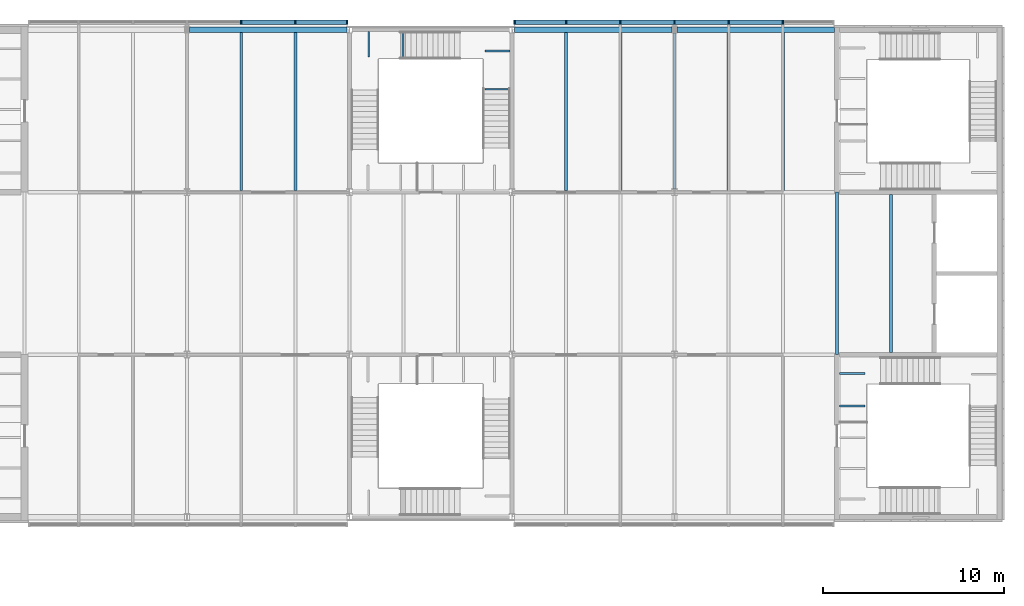
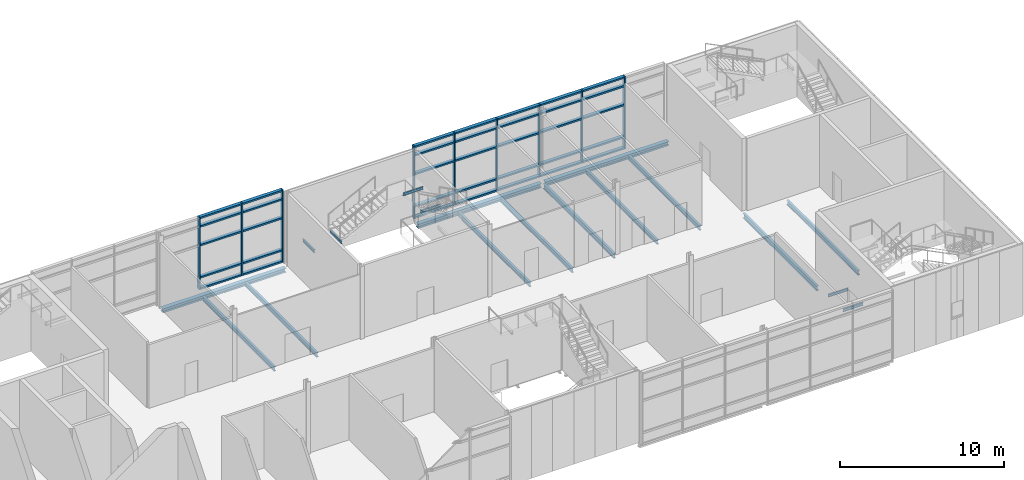
# One storey, part 23 of 52: 44 members, 18 beams, 2 elements without a shape of their own.
"""IFC4 building model written with IfcOpenShell, lengths in metres."""

from ifc_helpers import new_model, si_unit, direction, frame, origin, origin_2d, place, context, subcontext, project, spatial, rectangle, i_section, extrude, material, material_profile, profile_set, type_object, element, aggregate, save


model = new_model("IFC4")

# Units and contexts
model_context = context("Model", 3, precision=1e-05, world=origin(), true_north=direction((0.0, 1.0)))
body_context = subcontext(model_context, "Body", "Model", "MODEL_VIEW")
ifc_project = project(units=[si_unit("LENGTHUNIT", "METRE"), si_unit("AREAUNIT", "SQUARE_METRE"), si_unit("VOLUMEUNIT", "CUBIC_METRE"), si_unit("PLANEANGLEUNIT", "RADIAN"), si_unit("MASSUNIT", "GRAM", prefix="KILO")], contexts=[model_context])

# Site, building, storey
site_placement = place(None, origin())
site = spatial("IfcSite", under=ifc_project, at=site_placement, CompositionType="ELEMENT")
building_placement = place(site_placement, origin())
building = spatial("IfcBuilding", under=site, at=building_placement, Name="Azimuth Sports and Learning Centre", CompositionType="ELEMENT")
storey_placement = place(building_placement, frame((0.0, 0.0, 16.199951171875)))
storey = spatial("IfcBuildingStorey", under=building, at=storey_placement, Name="L03", CompositionType="ELEMENT", Elevation=16.199951171875)

# Beams
ifc_material_1 = material(Name="Steel S355", Category="steel")
ifc_material_profile_1 = material_profile(ifc_material_1, i_section(OverallWidth=0.10009765625, OverallDepth=0.199951171875, WebThickness=0.005615234375, FlangeThickness=0.008544921875, FilletRadius=0.011962890625, at=origin_2d()), Name="IPE 200")
ifc_profile_set_1 = profile_set([ifc_material_profile_1], Name="Steel S355")
beam_type_1 = type_object("IfcBeamType", Name="Beam IPE 200", PredefinedType="BEAM", material=ifc_profile_set_1)
for number, where, z_axis, x_axis, name in (
    (1, (162.14990234375, 96.15380859375, -0.300048828125), (1.0, 0.0, 0.0), (0.0, 1.0, 0.0), "Landing bracket EW1 L03 806"),
    (2, (162.14990234375, 97.961181640625, -0.300048828125), (1.0, 0.0, 0.0), (0.0, 1.0, 0.0), "Landing bracket EW1 L03 807"),
):
    element("IfcBeam", number, at=place(storey_placement, frame(where, z_axis=z_axis, x_axis=x_axis)), inside=storey, type_object=beam_type_1, Name=name, PredefinedType="BEAM", context=body_context, shape_type="SweptSolid", body=[
        extrude(i_section(OverallWidth=0.10009765625, OverallDepth=0.199951171875, WebThickness=0.005615234375, FlangeThickness=0.008544921875, FilletRadius=0.011962890625, at=origin_2d()), origin(), (0.0, 0.0, 1.0), 1.41015625),
    ])
for number, where, z_axis, x_axis, name in (
    (3, (136.06005859375, 116.89990234375, 1.5), (0.0, -1.0, 0.0), (1.0, 0.0, 0.0), "Landing bracket EM2 L03 978"),
    (4, (137.9599609375, 116.89990234375, 1.5), (0.0, -1.0, 0.0), (1.0, 0.0, 0.0), "Landing bracket EM2 L03 979"),
    (5, (143.89990234375, 113.702392578125, 3.300048828125), (-1.0, 0.0, 0.0), (0.0, -1.0, 0.0), "Landing bracket EM2 L03 980"),
    (6, (143.89990234375, 115.827392578125, 3.300048828125), (-1.0, 0.0, 0.0), (0.0, -1.0, 0.0), "Landing bracket EM2 L03 981"),
):
    element("IfcBeam", number, at=place(storey_placement, frame(where, z_axis=z_axis, x_axis=x_axis)), inside=storey, type_object=beam_type_1, Name=name, PredefinedType="BEAM", context=body_context, shape_type="SweptSolid", body=[
        extrude(i_section(OverallWidth=0.10009765625, OverallDepth=0.199951171875, WebThickness=0.005615234375, FlangeThickness=0.008544921875, FilletRadius=0.011962890625, at=origin_2d()), origin(), (0.0, 0.0, 1.0), 1.409912109375),
    ])
ifc_material_2 = material(Name="Steel S355", Category="steel")
ifc_material_profile_2 = material_profile(ifc_material_2, i_section(OverallWidth=0.169921875, OverallDepth=0.360107421875, WebThickness=0.008056640625, FlangeThickness=0.0126953125, FilletRadius=0.01806640625, at=origin_2d()), Name="IPE 360")
ifc_profile_set_2 = profile_set([ifc_material_profile_2], Name="Steel S355")
beam_type_2 = type_object("IfcBeamType", Name="Beam IPE 360", PredefinedType="BEAM", material=ifc_profile_set_2)
beam_1_placement = place(storey_placement, frame((153.0, 108.179931640625, -0.329833984375), z_axis=(0.0, 1.0, 0.0), x_axis=(-1.0, 0.0, 0.0)))
element("IfcBeam", 7, at=beam_1_placement, inside=storey, type_object=beam_type_2, Name="Beam L03 WE 25", PredefinedType="BEAM", context=body_context, shape_type="SweptSolid", body=[
    extrude(i_section(OverallWidth=0.169921875, OverallDepth=0.360107421875, WebThickness=0.008056640625, FlangeThickness=0.0126953125, FilletRadius=0.01806640625, at=origin_2d()), origin(), (0.0, 0.0, 1.0), 8.64013671875),
])
beam_2_placement = place(storey_placement, frame((162.0, 99.0, -0.329833984375), z_axis=(0.0, 1.0, 0.0), x_axis=(-1.0, 0.0, 0.0)))
element("IfcBeam", 8, at=beam_2_placement, inside=storey, type_object=beam_type_2, Name="Beam L03 WE 26", PredefinedType="BEAM", context=body_context, shape_type="SweptSolid", body=[
    extrude(i_section(OverallWidth=0.169921875, OverallDepth=0.360107421875, WebThickness=0.008056640625, FlangeThickness=0.0126953125, FilletRadius=0.01806640625, at=origin_2d()), origin(), (0.0, 0.0, 1.0), 9.0),
])
ifc_material_3 = material(Name="Steel S355", Category="steel")
ifc_material_profile_3 = material_profile(ifc_material_3, i_section(OverallWidth=0.300048828125, OverallDepth=0.31005859375, WebThickness=0.009033203125, FlangeThickness=0.015380859375, FilletRadius=0.027099609375, at=origin_2d()), Name="HEA 320")
ifc_profile_set_3 = profile_set([ifc_material_profile_3], Name="Steel S355")
beam_type_3 = type_object("IfcBeamType", Name="Edge beam HEA 320", PredefinedType="SPANDREL", material=ifc_profile_set_3)
for number, where, z_axis, x_axis, name in (
    (9, (126.14990234375, 117.0, -0.304931640625), (1.0, 0.0, 0.0), (0.0, 1.0, 0.0), "Edge beam L03 WE 14"),
    (10, (144.14990234375, 117.0, -0.304931640625), (1.0, 0.0, 0.0), (0.0, 1.0, 0.0), "Edge beam L03 WE 15"),
    (11, (153.14990234375, 117.0, -0.304931640625), (1.0, 0.0, 0.0), (0.0, 1.0, 0.0), "Edge beam L03 WE 16"),
):
    element("IfcBeam", number, at=place(storey_placement, frame(where, z_axis=z_axis, x_axis=x_axis)), inside=storey, type_object=beam_type_3, Name=name, PredefinedType="SPANDREL", context=body_context, shape_type="SweptSolid", body=[
        extrude(i_section(OverallWidth=0.300048828125, OverallDepth=0.31005859375, WebThickness=0.009033203125, FlangeThickness=0.015380859375, FilletRadius=0.027099609375, at=origin_2d()), origin(), (0.0, 0.0, 1.0), 8.7001953125),
    ])
ifc_material_4 = material(Name="Steel S355", Category="steel")
ifc_material_profile_4 = material_profile(ifc_material_4, i_section(OverallWidth=0.159912109375, OverallDepth=0.330078125, WebThickness=0.007568359375, FlangeThickness=0.011474609375, FilletRadius=0.01806640625, at=origin_2d()), Name="IPE 330")
ifc_profile_set_4 = profile_set([ifc_material_profile_4], Name="Steel S355")
beam_type_4 = type_object("IfcBeamType", Name="Joist IPE 330", PredefinedType="JOIST", material=ifc_profile_set_4)
for number, where, z_axis, x_axis, name in (
    (12, (129.0, 108.10009765625, -0.31494140625), (0.0, 1.0, 0.0), (-1.0, 0.0, 0.0), "Joist L03 WE 35"),
    (13, (132.0, 108.10009765625, -0.31494140625), (0.0, 1.0, 0.0), (-1.0, 0.0, 0.0), "Joist L03 WE 38"),
    (14, (147.0, 108.10009765625, -0.31494140625), (0.0, 1.0, 0.0), (-1.0, 0.0, 0.0), "Joist L03 WE 43"),
    (15, (150.0, 108.10009765625, -0.31494140625), (0.0, 1.0, 0.0), (-1.0, 0.0, 0.0), "Joist L03 WE 46"),
    (16, (156.0, 108.10009765625, -0.31494140625), (0.0, 1.0, 0.0), (-1.0, 0.0, 0.0), "Joist L03 WE 49"),
    (17, (159.0, 108.10009765625, -0.31494140625), (0.0, 1.0, 0.0), (-1.0, 0.0, 0.0), "Joist L03 WE 52"),
    (18, (165.0, 99.125, -0.31494140625), (0.0, 1.0, 0.0), (-1.0, 0.0, 0.0), "Joist L03 WE 53"),
):
    element("IfcBeam", number, at=place(storey_placement, frame(where, z_axis=z_axis, x_axis=x_axis)), inside=storey, type_object=beam_type_4, Name=name, PredefinedType="JOIST", context=body_context, shape_type="SweptSolid", body=[
        extrude(i_section(OverallWidth=0.159912109375, OverallDepth=0.330078125, WebThickness=0.007568359375, FlangeThickness=0.011474609375, FilletRadius=0.01806640625, at=origin_2d()), origin(), (0.0, 0.0, 1.0), 8.75),
    ])

# Curtain wall, members
ifc_material_5 = material(Name="Aluminium and glass", Category="aluminium")
curtain_wall_type = type_object("IfcCurtainWallType", Name="Curtain wall podium wing 240", PredefinedType="NOTDEFINED", material=ifc_material_5)
curtain_wall_1_placement = place(storey_placement, origin())
curtain_wall_1 = element("IfcCurtainWall", 19, at=curtain_wall_1_placement, inside=storey, type_object=curtain_wall_type, Name="Curtain wall CW03-011", PredefinedType="NOTDEFINED")
ifc_material_6 = material(Name="Aluminium", Category="aluminium")
ifc_material_profile_5 = material_profile(ifc_material_6, rectangle(XDim=0.239990234375, YDim=0.080078125, at=origin_2d()), Name="Mullion 80x240")
ifc_profile_set_5 = profile_set([ifc_material_profile_5], Name="Aluminium")
member_type_1 = type_object("IfcMemberType", Name="Mullion 80x240", PredefinedType="MULLION", material=ifc_profile_set_5)
member_1_placement = place(storey_placement, frame((159.0, 117.419921875, 0.0), z_axis=(0.0, 0.0, 1.0), x_axis=(0.0, -1.0, 0.0)))
member_1 = element("IfcMember", 20, at=member_1_placement, type_object=member_type_1, Name="CW03-011 mullion 2", PredefinedType="MULLION", context=body_context, shape_type="SweptSolid", body=[
    extrude(rectangle(XDim=0.239990234375, YDim=0.080078125, at=origin_2d()), origin(), (0.0, 0.0, 1.0), 5.400146484375),
])
member_2_placement = place(storey_placement, frame((156.0, 117.419921875, 0.0), z_axis=(0.0, 0.0, 1.0), x_axis=(0.0, -1.0, 0.0)))
member_2 = element("IfcMember", 21, at=member_2_placement, type_object=member_type_1, Name="CW03-011 mullion 3", PredefinedType="MULLION", context=body_context, shape_type="SweptSolid", body=[
    extrude(rectangle(XDim=0.239990234375, YDim=0.080078125, at=origin_2d()), origin(), (0.0, 0.0, 1.0), 5.400146484375),
])
member_3_placement = place(storey_placement, frame((153.0, 117.419921875, 0.0), z_axis=(0.0, 0.0, 1.0), x_axis=(0.0, -1.0, 0.0)))
member_3 = element("IfcMember", 22, at=member_3_placement, type_object=member_type_1, Name="CW03-011 mullion 4", PredefinedType="MULLION", context=body_context, shape_type="SweptSolid", body=[
    extrude(rectangle(XDim=0.239990234375, YDim=0.080078125, at=origin_2d()), origin(), (0.0, 0.0, 1.0), 5.400146484375),
])
member_4_placement = place(storey_placement, frame((150.0, 117.419921875, 0.0), z_axis=(0.0, 0.0, 1.0), x_axis=(0.0, -1.0, 0.0)))
member_4 = element("IfcMember", 23, at=member_4_placement, type_object=member_type_1, Name="CW03-011 mullion 5", PredefinedType="MULLION", context=body_context, shape_type="SweptSolid", body=[
    extrude(rectangle(XDim=0.239990234375, YDim=0.080078125, at=origin_2d()), origin(), (0.0, 0.0, 1.0), 5.400146484375),
])
member_5_placement = place(storey_placement, frame((147.0, 117.419921875, 0.0), z_axis=(0.0, 0.0, 1.0), x_axis=(0.0, -1.0, 0.0)))
member_5 = element("IfcMember", 24, at=member_5_placement, type_object=member_type_1, Name="CW03-011 mullion 6", PredefinedType="MULLION", context=body_context, shape_type="SweptSolid", body=[
    extrude(rectangle(XDim=0.239990234375, YDim=0.080078125, at=origin_2d()), origin(), (0.0, 0.0, 1.0), 5.400146484375),
])
member_6_placement = place(storey_placement, frame((144.139892578125, 117.419921875, 0.0), z_axis=(0.0, 0.0, 1.0), x_axis=(0.0, -1.0, 0.0)))
member_6 = element("IfcMember", 25, at=member_6_placement, type_object=member_type_1, Name="CW03-011 mullion 7", PredefinedType="MULLION", context=body_context, shape_type="SweptSolid", body=[
    extrude(rectangle(XDim=0.239990234375, YDim=0.080078125, at=origin_2d()), origin(), (0.0, 0.0, 1.0), 5.400146484375),
])

curtain_wall_2_placement = place(storey_placement, origin())
curtain_wall_2 = element("IfcCurtainWall", 26, at=curtain_wall_2_placement, inside=storey, type_object=curtain_wall_type, Name="Curtain wall CW03-012", PredefinedType="NOTDEFINED")
member_7_placement = place(storey_placement, frame((134.860107421875, 117.419921875, 0.0), z_axis=(0.0, 0.0, 1.0), x_axis=(0.0, -1.0, 0.0)))
member_7 = element("IfcMember", 27, at=member_7_placement, type_object=member_type_1, Name="CW03-012 mullion 1", PredefinedType="MULLION", context=body_context, shape_type="SweptSolid", body=[
    extrude(rectangle(XDim=0.239990234375, YDim=0.080078125, at=origin_2d()), origin(), (0.0, 0.0, 1.0), 5.400146484375),
])
member_8_placement = place(storey_placement, frame((132.0, 117.419921875, 0.0), z_axis=(0.0, 0.0, 1.0), x_axis=(0.0, -1.0, 0.0)))
member_8 = element("IfcMember", 28, at=member_8_placement, type_object=member_type_1, Name="CW03-012 mullion 2", PredefinedType="MULLION", context=body_context, shape_type="SweptSolid", body=[
    extrude(rectangle(XDim=0.239990234375, YDim=0.080078125, at=origin_2d()), origin(), (0.0, 0.0, 1.0), 5.400146484375),
])
member_9_placement = place(storey_placement, frame((129.0, 117.419921875, 0.0), z_axis=(0.0, 0.0, 1.0), x_axis=(0.0, -1.0, 0.0)))
member_9 = element("IfcMember", 29, at=member_9_placement, type_object=member_type_1, Name="CW03-012 mullion 3", PredefinedType="MULLION", context=body_context, shape_type="SweptSolid", body=[
    extrude(rectangle(XDim=0.239990234375, YDim=0.080078125, at=origin_2d()), origin(), (0.0, 0.0, 1.0), 5.400146484375),
])

# Member
ifc_material_7 = material(Name="Aluminium", Category="aluminium")
ifc_material_profile_6 = material_profile(ifc_material_7, rectangle(XDim=0.239990234375, YDim=0.1201171875, at=origin_2d()), Name="Transom 120x240")
ifc_profile_set_6 = profile_set([ifc_material_profile_6], Name="Aluminium")
member_type_2 = type_object("IfcMemberType", Name="Transom 120x240", PredefinedType="USERDEFINED", material=ifc_profile_set_6)
member_10_placement = place(storey_placement, frame((158.9599609375, 117.419921875, 0.06005859375), z_axis=(-1.0, 0.0, 0.0), x_axis=(0.0, -1.0, 0.0)))
member_10 = element("IfcMember", 30, at=member_10_placement, type_object=member_type_2, Name="CW03-011 transom 2.1", ObjectType="TRANSOM", PredefinedType="USERDEFINED", context=body_context, shape_type="SweptSolid", body=[
    extrude(rectangle(XDim=0.239990234375, YDim=0.1201171875, at=origin_2d()), origin(), (0.0, 0.0, 1.0), 2.919921875),
])

member_11_placement = place(storey_placement, frame((158.9599609375, 117.419921875, 0.900146484375), z_axis=(-1.0, 0.0, 0.0), x_axis=(0.0, -1.0, 0.0)))
member_11 = element("IfcMember", 31, at=member_11_placement, type_object=member_type_2, Name="CW03-011 transom 2.2", ObjectType="TRANSOM", PredefinedType="USERDEFINED", context=body_context, shape_type="SweptSolid", body=[
    extrude(rectangle(XDim=0.239990234375, YDim=0.1201171875, at=origin_2d()), origin(), (0.0, 0.0, 1.0), 2.919921875),
])

member_12_placement = place(storey_placement, frame((158.9599609375, 117.419921875, 3.300048828125), z_axis=(-1.0, 0.0, 0.0), x_axis=(0.0, -1.0, 0.0)))
member_12 = element("IfcMember", 32, at=member_12_placement, type_object=member_type_2, Name="CW03-011 transom 2.3", ObjectType="TRANSOM", PredefinedType="USERDEFINED", context=body_context, shape_type="SweptSolid", body=[
    extrude(rectangle(XDim=0.239990234375, YDim=0.1201171875, at=origin_2d()), origin(), (0.0, 0.0, 1.0), 2.919921875),
])

member_13_placement = place(storey_placement, frame((158.9599609375, 117.419921875, 4.699951171875), z_axis=(-1.0, 0.0, 0.0), x_axis=(0.0, -1.0, 0.0)))
member_13 = element("IfcMember", 33, at=member_13_placement, type_object=member_type_2, Name="CW03-011 transom 2.4", ObjectType="TRANSOM", PredefinedType="USERDEFINED", context=body_context, shape_type="SweptSolid", body=[
    extrude(rectangle(XDim=0.239990234375, YDim=0.1201171875, at=origin_2d()), origin(), (0.0, 0.0, 1.0), 2.919921875),
])

member_14_placement = place(storey_placement, frame((158.9599609375, 117.419921875, 5.340087890625), z_axis=(-1.0, 0.0, 0.0), x_axis=(0.0, -1.0, 0.0)))
member_14 = element("IfcMember", 34, at=member_14_placement, type_object=member_type_2, Name="CW03-011 transom 2.5", ObjectType="TRANSOM", PredefinedType="USERDEFINED", context=body_context, shape_type="SweptSolid", body=[
    extrude(rectangle(XDim=0.239990234375, YDim=0.1201171875, at=origin_2d()), origin(), (0.0, 0.0, 1.0), 2.919921875),
])

member_15_placement = place(storey_placement, frame((155.9599609375, 117.419921875, 0.06005859375), z_axis=(-1.0, 0.0, 0.0), x_axis=(0.0, -1.0, 0.0)))
member_15 = element("IfcMember", 35, at=member_15_placement, type_object=member_type_2, Name="CW03-011 transom 3.1", ObjectType="TRANSOM", PredefinedType="USERDEFINED", context=body_context, shape_type="SweptSolid", body=[
    extrude(rectangle(XDim=0.239990234375, YDim=0.1201171875, at=origin_2d()), origin(), (0.0, 0.0, 1.0), 2.919921875),
])

member_16_placement = place(storey_placement, frame((155.9599609375, 117.419921875, 0.900146484375), z_axis=(-1.0, 0.0, 0.0), x_axis=(0.0, -1.0, 0.0)))
member_16 = element("IfcMember", 36, at=member_16_placement, type_object=member_type_2, Name="CW03-011 transom 3.2", ObjectType="TRANSOM", PredefinedType="USERDEFINED", context=body_context, shape_type="SweptSolid", body=[
    extrude(rectangle(XDim=0.239990234375, YDim=0.1201171875, at=origin_2d()), origin(), (0.0, 0.0, 1.0), 2.919921875),
])

member_17_placement = place(storey_placement, frame((155.9599609375, 117.419921875, 3.300048828125), z_axis=(-1.0, 0.0, 0.0), x_axis=(0.0, -1.0, 0.0)))
member_17 = element("IfcMember", 37, at=member_17_placement, type_object=member_type_2, Name="CW03-011 transom 3.3", ObjectType="TRANSOM", PredefinedType="USERDEFINED", context=body_context, shape_type="SweptSolid", body=[
    extrude(rectangle(XDim=0.239990234375, YDim=0.1201171875, at=origin_2d()), origin(), (0.0, 0.0, 1.0), 2.919921875),
])

member_18_placement = place(storey_placement, frame((155.9599609375, 117.419921875, 4.699951171875), z_axis=(-1.0, 0.0, 0.0), x_axis=(0.0, -1.0, 0.0)))
member_18 = element("IfcMember", 38, at=member_18_placement, type_object=member_type_2, Name="CW03-011 transom 3.4", ObjectType="TRANSOM", PredefinedType="USERDEFINED", context=body_context, shape_type="SweptSolid", body=[
    extrude(rectangle(XDim=0.239990234375, YDim=0.1201171875, at=origin_2d()), origin(), (0.0, 0.0, 1.0), 2.919921875),
])

member_19_placement = place(storey_placement, frame((155.9599609375, 117.419921875, 5.340087890625), z_axis=(-1.0, 0.0, 0.0), x_axis=(0.0, -1.0, 0.0)))
member_19 = element("IfcMember", 39, at=member_19_placement, type_object=member_type_2, Name="CW03-011 transom 3.5", ObjectType="TRANSOM", PredefinedType="USERDEFINED", context=body_context, shape_type="SweptSolid", body=[
    extrude(rectangle(XDim=0.239990234375, YDim=0.1201171875, at=origin_2d()), origin(), (0.0, 0.0, 1.0), 2.919921875),
])

member_20_placement = place(storey_placement, frame((152.9599609375, 117.419921875, 0.06005859375), z_axis=(-1.0, 0.0, 0.0), x_axis=(0.0, -1.0, 0.0)))
member_20 = element("IfcMember", 40, at=member_20_placement, type_object=member_type_2, Name="CW03-011 transom 4.1", ObjectType="TRANSOM", PredefinedType="USERDEFINED", context=body_context, shape_type="SweptSolid", body=[
    extrude(rectangle(XDim=0.239990234375, YDim=0.1201171875, at=origin_2d()), origin(), (0.0, 0.0, 1.0), 2.919921875),
])

member_21_placement = place(storey_placement, frame((152.9599609375, 117.419921875, 0.900146484375), z_axis=(-1.0, 0.0, 0.0), x_axis=(0.0, -1.0, 0.0)))
member_21 = element("IfcMember", 41, at=member_21_placement, type_object=member_type_2, Name="CW03-011 transom 4.2", ObjectType="TRANSOM", PredefinedType="USERDEFINED", context=body_context, shape_type="SweptSolid", body=[
    extrude(rectangle(XDim=0.239990234375, YDim=0.1201171875, at=origin_2d()), origin(), (0.0, 0.0, 1.0), 2.919921875),
])

member_22_placement = place(storey_placement, frame((152.9599609375, 117.419921875, 3.300048828125), z_axis=(-1.0, 0.0, 0.0), x_axis=(0.0, -1.0, 0.0)))
member_22 = element("IfcMember", 42, at=member_22_placement, type_object=member_type_2, Name="CW03-011 transom 4.3", ObjectType="TRANSOM", PredefinedType="USERDEFINED", context=body_context, shape_type="SweptSolid", body=[
    extrude(rectangle(XDim=0.239990234375, YDim=0.1201171875, at=origin_2d()), origin(), (0.0, 0.0, 1.0), 2.919921875),
])

member_23_placement = place(storey_placement, frame((152.9599609375, 117.419921875, 4.699951171875), z_axis=(-1.0, 0.0, 0.0), x_axis=(0.0, -1.0, 0.0)))
member_23 = element("IfcMember", 43, at=member_23_placement, type_object=member_type_2, Name="CW03-011 transom 4.4", ObjectType="TRANSOM", PredefinedType="USERDEFINED", context=body_context, shape_type="SweptSolid", body=[
    extrude(rectangle(XDim=0.239990234375, YDim=0.1201171875, at=origin_2d()), origin(), (0.0, 0.0, 1.0), 2.919921875),
])

member_24_placement = place(storey_placement, frame((152.9599609375, 117.419921875, 5.340087890625), z_axis=(-1.0, 0.0, 0.0), x_axis=(0.0, -1.0, 0.0)))
member_24 = element("IfcMember", 44, at=member_24_placement, type_object=member_type_2, Name="CW03-011 transom 4.5", ObjectType="TRANSOM", PredefinedType="USERDEFINED", context=body_context, shape_type="SweptSolid", body=[
    extrude(rectangle(XDim=0.239990234375, YDim=0.1201171875, at=origin_2d()), origin(), (0.0, 0.0, 1.0), 2.919921875),
])

member_25_placement = place(storey_placement, frame((149.9599609375, 117.419921875, 0.06005859375), z_axis=(-1.0, 0.0, 0.0), x_axis=(0.0, -1.0, 0.0)))
member_25 = element("IfcMember", 45, at=member_25_placement, type_object=member_type_2, Name="CW03-011 transom 5.1", ObjectType="TRANSOM", PredefinedType="USERDEFINED", context=body_context, shape_type="SweptSolid", body=[
    extrude(rectangle(XDim=0.239990234375, YDim=0.1201171875, at=origin_2d()), origin(), (0.0, 0.0, 1.0), 2.919921875),
])

member_26_placement = place(storey_placement, frame((149.9599609375, 117.419921875, 0.900146484375), z_axis=(-1.0, 0.0, 0.0), x_axis=(0.0, -1.0, 0.0)))
member_26 = element("IfcMember", 46, at=member_26_placement, type_object=member_type_2, Name="CW03-011 transom 5.2", ObjectType="TRANSOM", PredefinedType="USERDEFINED", context=body_context, shape_type="SweptSolid", body=[
    extrude(rectangle(XDim=0.239990234375, YDim=0.1201171875, at=origin_2d()), origin(), (0.0, 0.0, 1.0), 2.919921875),
])

member_27_placement = place(storey_placement, frame((149.9599609375, 117.419921875, 3.300048828125), z_axis=(-1.0, 0.0, 0.0), x_axis=(0.0, -1.0, 0.0)))
member_27 = element("IfcMember", 47, at=member_27_placement, type_object=member_type_2, Name="CW03-011 transom 5.3", ObjectType="TRANSOM", PredefinedType="USERDEFINED", context=body_context, shape_type="SweptSolid", body=[
    extrude(rectangle(XDim=0.239990234375, YDim=0.1201171875, at=origin_2d()), origin(), (0.0, 0.0, 1.0), 2.919921875),
])

member_28_placement = place(storey_placement, frame((149.9599609375, 117.419921875, 4.699951171875), z_axis=(-1.0, 0.0, 0.0), x_axis=(0.0, -1.0, 0.0)))
member_28 = element("IfcMember", 48, at=member_28_placement, type_object=member_type_2, Name="CW03-011 transom 5.4", ObjectType="TRANSOM", PredefinedType="USERDEFINED", context=body_context, shape_type="SweptSolid", body=[
    extrude(rectangle(XDim=0.239990234375, YDim=0.1201171875, at=origin_2d()), origin(), (0.0, 0.0, 1.0), 2.919921875),
])

member_29_placement = place(storey_placement, frame((149.9599609375, 117.419921875, 5.340087890625), z_axis=(-1.0, 0.0, 0.0), x_axis=(0.0, -1.0, 0.0)))
member_29 = element("IfcMember", 49, at=member_29_placement, type_object=member_type_2, Name="CW03-011 transom 5.5", ObjectType="TRANSOM", PredefinedType="USERDEFINED", context=body_context, shape_type="SweptSolid", body=[
    extrude(rectangle(XDim=0.239990234375, YDim=0.1201171875, at=origin_2d()), origin(), (0.0, 0.0, 1.0), 2.919921875),
])

member_30_placement = place(storey_placement, frame((146.9599609375, 117.419921875, 0.06005859375), z_axis=(-1.0, 0.0, 0.0), x_axis=(0.0, -1.0, 0.0)))
member_30 = element("IfcMember", 50, at=member_30_placement, type_object=member_type_2, Name="CW03-011 transom 6.1", ObjectType="TRANSOM", PredefinedType="USERDEFINED", context=body_context, shape_type="SweptSolid", body=[
    extrude(rectangle(XDim=0.239990234375, YDim=0.1201171875, at=origin_2d()), origin(), (0.0, 0.0, 1.0), 2.780029296875),
])

member_31_placement = place(storey_placement, frame((146.9599609375, 117.419921875, 0.900146484375), z_axis=(-1.0, 0.0, 0.0), x_axis=(0.0, -1.0, 0.0)))
member_31 = element("IfcMember", 51, at=member_31_placement, type_object=member_type_2, Name="CW03-011 transom 6.2", ObjectType="TRANSOM", PredefinedType="USERDEFINED", context=body_context, shape_type="SweptSolid", body=[
    extrude(rectangle(XDim=0.239990234375, YDim=0.1201171875, at=origin_2d()), origin(), (0.0, 0.0, 1.0), 2.780029296875),
])

member_32_placement = place(storey_placement, frame((146.9599609375, 117.419921875, 3.300048828125), z_axis=(-1.0, 0.0, 0.0), x_axis=(0.0, -1.0, 0.0)))
member_32 = element("IfcMember", 52, at=member_32_placement, type_object=member_type_2, Name="CW03-011 transom 6.3", ObjectType="TRANSOM", PredefinedType="USERDEFINED", context=body_context, shape_type="SweptSolid", body=[
    extrude(rectangle(XDim=0.239990234375, YDim=0.1201171875, at=origin_2d()), origin(), (0.0, 0.0, 1.0), 2.780029296875),
])

member_33_placement = place(storey_placement, frame((146.9599609375, 117.419921875, 4.699951171875), z_axis=(-1.0, 0.0, 0.0), x_axis=(0.0, -1.0, 0.0)))
member_33 = element("IfcMember", 53, at=member_33_placement, type_object=member_type_2, Name="CW03-011 transom 6.4", ObjectType="TRANSOM", PredefinedType="USERDEFINED", context=body_context, shape_type="SweptSolid", body=[
    extrude(rectangle(XDim=0.239990234375, YDim=0.1201171875, at=origin_2d()), origin(), (0.0, 0.0, 1.0), 2.780029296875),
])

member_34_placement = place(storey_placement, frame((146.9599609375, 117.419921875, 5.340087890625), z_axis=(-1.0, 0.0, 0.0), x_axis=(0.0, -1.0, 0.0)))
member_34 = element("IfcMember", 54, at=member_34_placement, type_object=member_type_2, Name="CW03-011 transom 6.5", ObjectType="TRANSOM", PredefinedType="USERDEFINED", context=body_context, shape_type="SweptSolid", body=[
    extrude(rectangle(XDim=0.239990234375, YDim=0.1201171875, at=origin_2d()), origin(), (0.0, 0.0, 1.0), 2.780029296875),
])

aggregate(curtain_wall_1, [member_1, member_2, member_3, member_4, member_5, member_6, member_10, member_11, member_12, member_13, member_14, member_15, member_16, member_17, member_18, member_19, member_20, member_21, member_22, member_23, member_24, member_25, member_26, member_27, member_28, member_29, member_30, member_31, member_32, member_33, member_34])

member_35_placement = place(storey_placement, frame((134.820068359375, 117.419921875, 0.06005859375), z_axis=(-1.0, 0.0, 0.0), x_axis=(0.0, -1.0, 0.0)))
member_35 = element("IfcMember", 55, at=member_35_placement, type_object=member_type_2, Name="CW03-012 transom 1.1", ObjectType="TRANSOM", PredefinedType="USERDEFINED", context=body_context, shape_type="SweptSolid", body=[
    extrude(rectangle(XDim=0.239990234375, YDim=0.1201171875, at=origin_2d()), origin(), (0.0, 0.0, 1.0), 2.780029296875),
])

member_36_placement = place(storey_placement, frame((134.820068359375, 117.419921875, 0.900146484375), z_axis=(-1.0, 0.0, 0.0), x_axis=(0.0, -1.0, 0.0)))
member_36 = element("IfcMember", 56, at=member_36_placement, type_object=member_type_2, Name="CW03-012 transom 1.2", ObjectType="TRANSOM", PredefinedType="USERDEFINED", context=body_context, shape_type="SweptSolid", body=[
    extrude(rectangle(XDim=0.239990234375, YDim=0.1201171875, at=origin_2d()), origin(), (0.0, 0.0, 1.0), 2.780029296875),
])

member_37_placement = place(storey_placement, frame((134.820068359375, 117.419921875, 3.300048828125), z_axis=(-1.0, 0.0, 0.0), x_axis=(0.0, -1.0, 0.0)))
member_37 = element("IfcMember", 57, at=member_37_placement, type_object=member_type_2, Name="CW03-012 transom 1.3", ObjectType="TRANSOM", PredefinedType="USERDEFINED", context=body_context, shape_type="SweptSolid", body=[
    extrude(rectangle(XDim=0.239990234375, YDim=0.1201171875, at=origin_2d()), origin(), (0.0, 0.0, 1.0), 2.780029296875),
])

member_38_placement = place(storey_placement, frame((134.820068359375, 117.419921875, 4.699951171875), z_axis=(-1.0, 0.0, 0.0), x_axis=(0.0, -1.0, 0.0)))
member_38 = element("IfcMember", 58, at=member_38_placement, type_object=member_type_2, Name="CW03-012 transom 1.4", ObjectType="TRANSOM", PredefinedType="USERDEFINED", context=body_context, shape_type="SweptSolid", body=[
    extrude(rectangle(XDim=0.239990234375, YDim=0.1201171875, at=origin_2d()), origin(), (0.0, 0.0, 1.0), 2.780029296875),
])

member_39_placement = place(storey_placement, frame((134.820068359375, 117.419921875, 5.340087890625), z_axis=(-1.0, 0.0, 0.0), x_axis=(0.0, -1.0, 0.0)))
member_39 = element("IfcMember", 59, at=member_39_placement, type_object=member_type_2, Name="CW03-012 transom 1.5", ObjectType="TRANSOM", PredefinedType="USERDEFINED", context=body_context, shape_type="SweptSolid", body=[
    extrude(rectangle(XDim=0.239990234375, YDim=0.1201171875, at=origin_2d()), origin(), (0.0, 0.0, 1.0), 2.780029296875),
])

member_40_placement = place(storey_placement, frame((131.9599609375, 117.419921875, 0.06005859375), z_axis=(-1.0, 0.0, 0.0), x_axis=(0.0, -1.0, 0.0)))
member_40 = element("IfcMember", 60, at=member_40_placement, type_object=member_type_2, Name="CW03-012 transom 2.1", ObjectType="TRANSOM", PredefinedType="USERDEFINED", context=body_context, shape_type="SweptSolid", body=[
    extrude(rectangle(XDim=0.239990234375, YDim=0.1201171875, at=origin_2d()), origin(), (0.0, 0.0, 1.0), 2.919921875),
])

member_41_placement = place(storey_placement, frame((131.9599609375, 117.419921875, 0.900146484375), z_axis=(-1.0, 0.0, 0.0), x_axis=(0.0, -1.0, 0.0)))
member_41 = element("IfcMember", 61, at=member_41_placement, type_object=member_type_2, Name="CW03-012 transom 2.2", ObjectType="TRANSOM", PredefinedType="USERDEFINED", context=body_context, shape_type="SweptSolid", body=[
    extrude(rectangle(XDim=0.239990234375, YDim=0.1201171875, at=origin_2d()), origin(), (0.0, 0.0, 1.0), 2.919921875),
])

member_42_placement = place(storey_placement, frame((131.9599609375, 117.419921875, 3.300048828125), z_axis=(-1.0, 0.0, 0.0), x_axis=(0.0, -1.0, 0.0)))
member_42 = element("IfcMember", 62, at=member_42_placement, type_object=member_type_2, Name="CW03-012 transom 2.3", ObjectType="TRANSOM", PredefinedType="USERDEFINED", context=body_context, shape_type="SweptSolid", body=[
    extrude(rectangle(XDim=0.239990234375, YDim=0.1201171875, at=origin_2d()), origin(), (0.0, 0.0, 1.0), 2.919921875),
])

member_43_placement = place(storey_placement, frame((131.9599609375, 117.419921875, 4.699951171875), z_axis=(-1.0, 0.0, 0.0), x_axis=(0.0, -1.0, 0.0)))
member_43 = element("IfcMember", 63, at=member_43_placement, type_object=member_type_2, Name="CW03-012 transom 2.4", ObjectType="TRANSOM", PredefinedType="USERDEFINED", context=body_context, shape_type="SweptSolid", body=[
    extrude(rectangle(XDim=0.239990234375, YDim=0.1201171875, at=origin_2d()), origin(), (0.0, 0.0, 1.0), 2.919921875),
])

member_44_placement = place(storey_placement, frame((131.9599609375, 117.419921875, 5.340087890625), z_axis=(-1.0, 0.0, 0.0), x_axis=(0.0, -1.0, 0.0)))
member_44 = element("IfcMember", 64, at=member_44_placement, type_object=member_type_2, Name="CW03-012 transom 2.5", ObjectType="TRANSOM", PredefinedType="USERDEFINED", context=body_context, shape_type="SweptSolid", body=[
    extrude(rectangle(XDim=0.239990234375, YDim=0.1201171875, at=origin_2d()), origin(), (0.0, 0.0, 1.0), 2.919921875),
])

aggregate(curtain_wall_2, [member_7, member_8, member_9, member_35, member_36, member_37, member_38, member_39, member_40, member_41, member_42, member_43, member_44])

save(model, "model.ifc")
